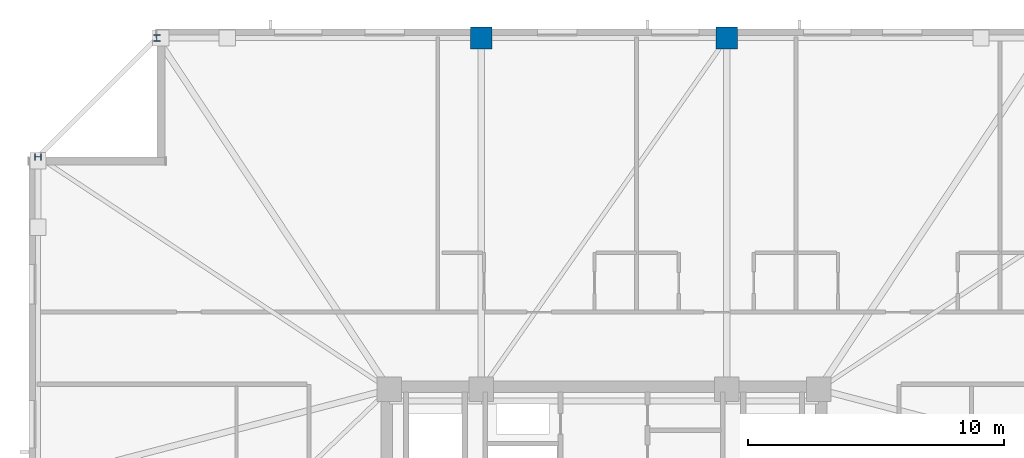
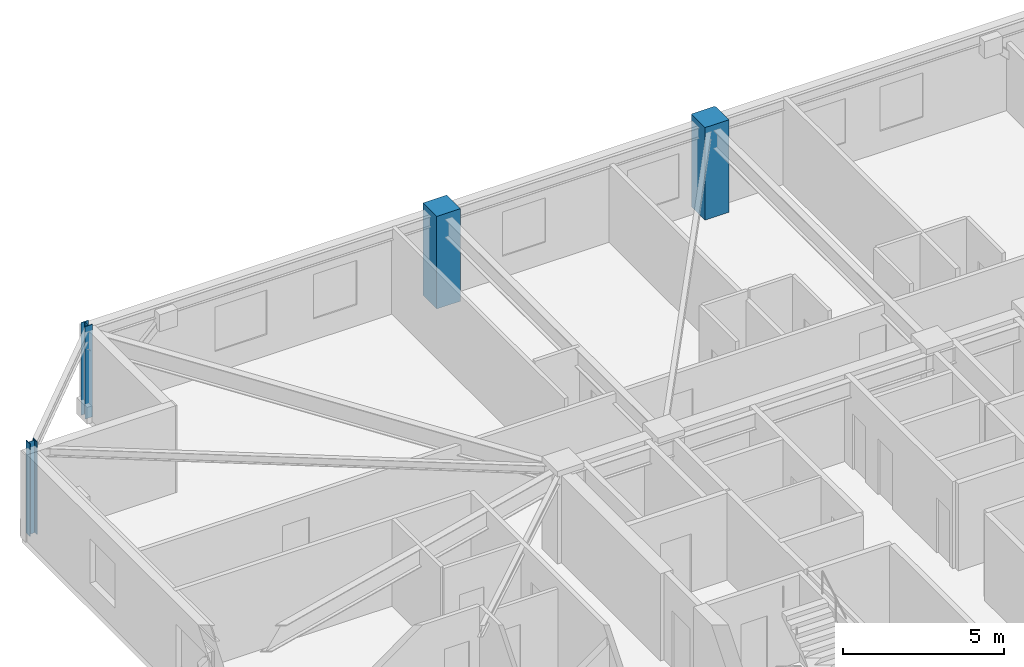
# One storey, part 4 of 15: 4 columns.
"""IFC4 building model written with IfcOpenShell, lengths in metres."""

from ifc_helpers import new_model, si_unit, direction, frame, origin, origin_2d, place, context, subcontext, project, spatial, rectangle, i_section, extrude, material, material_profile, profile_set, type_object, element, save


model = new_model("IFC4")

# Units and contexts
model_context = context("Model", 3, precision=1e-05, world=origin(), true_north=direction((0.0, 1.0)))
body_context = subcontext(model_context, "Body", "Model", "MODEL_VIEW")
ifc_project = project(units=[si_unit("LENGTHUNIT", "METRE"), si_unit("AREAUNIT", "SQUARE_METRE"), si_unit("VOLUMEUNIT", "CUBIC_METRE"), si_unit("PLANEANGLEUNIT", "RADIAN"), si_unit("MASSUNIT", "GRAM", prefix="KILO")], contexts=[model_context])

# Site, building, storey
site_placement = place(None, origin())
site = spatial("IfcSite", under=ifc_project, at=site_placement, CompositionType="ELEMENT")
building_placement = place(site_placement, origin())
building = spatial("IfcBuilding", under=site, at=building_placement, Name="Cairnveth Concourse Tower", CompositionType="ELEMENT")
storey_placement = place(building_placement, frame((0.0, 0.0, 265.5)))
storey = spatial("IfcBuildingStorey", under=building, at=storey_placement, Name="L73", CompositionType="ELEMENT", Elevation=265.5)

# Columns
ifc_material_1 = material(Name="Concrete N65 (65 MPa)", Category="concrete")
ifc_material_profile_1 = material_profile(ifc_material_1, rectangle(XDim=0.85009765625, YDim=0.85009765625, at=origin_2d()), Name="RC-COL-850x850")
ifc_profile_set_1 = profile_set([ifc_material_profile_1], Name="Concrete N65 (65 MPa)")
column_type_1 = type_object("IfcColumnType", Name="PERIMETER PIER COLUMN 850X850", PredefinedType="COLUMN", material=ifc_profile_set_1)
for number, where, z_axis, x_axis, name in (
    (1, (56.800048828125, 61.14990234375, 0.0), (0.0, 0.0, 1.0), (1.0, 0.0, 0.0), "Column P-N2 L73"),
    (2, (47.199951171875, 61.14990234375, 0.0), (0.0, 0.0, 1.0), (1.0, 0.0, 0.0), "Column P-N3 L73"),
):
    element("IfcColumn", number, at=place(storey_placement, frame(where, z_axis=z_axis, x_axis=x_axis)), inside=storey, type_object=column_type_1, Name=name, PredefinedType="COLUMN", context=body_context, shape_type="SweptSolid", body=[
        extrude(rectangle(XDim=0.85009765625, YDim=0.85009765625, at=origin_2d()), origin(), (0.0, 0.0, 1.0), 3.5),
    ])
ifc_material_2 = material(Name="Steel Grade 350", Category="steel")
ifc_material_profile_2 = material_profile(ifc_material_2, i_section(OverallWidth=0.256103515625, OverallDepth=0.260009765625, WebThickness=0.010498046875, FlangeThickness=0.017333984375, FilletRadius=0.012939453125, at=origin_2d()), Name="250UC89.5")
ifc_profile_set_2 = profile_set([ifc_material_profile_2], Name="Steel Grade 350")
column_type_2 = type_object("IfcColumnType", Name="UNIVERSAL STEEL COLUMN 250UC89.5", PredefinedType="COLUMN", material=ifc_profile_set_2)
for number, where, z_axis, x_axis, name in (
    (3, (34.5, 61.14990234375, 0.0), (0.0, 0.0, 1.0), (1.0, 0.0, 0.0), "Column P-N4 L73"),
    (4, (29.85009765625, 56.5, 0.0), (0.0, 0.0, 1.0), (0.0, 1.0, 0.0), "Column P-W1 L73"),
):
    element("IfcColumn", number, at=place(storey_placement, frame(where, z_axis=z_axis, x_axis=x_axis)), inside=storey, type_object=column_type_2, Name=name, PredefinedType="COLUMN", context=body_context, shape_type="SweptSolid", body=[
        extrude(i_section(OverallWidth=0.256103515625, OverallDepth=0.260009765625, WebThickness=0.010498046875, FlangeThickness=0.017333984375, FilletRadius=0.012939453125, at=origin_2d()), origin(), (0.0, 0.0, 1.0), 3.5),
    ])

save(model, "model.ifc")
